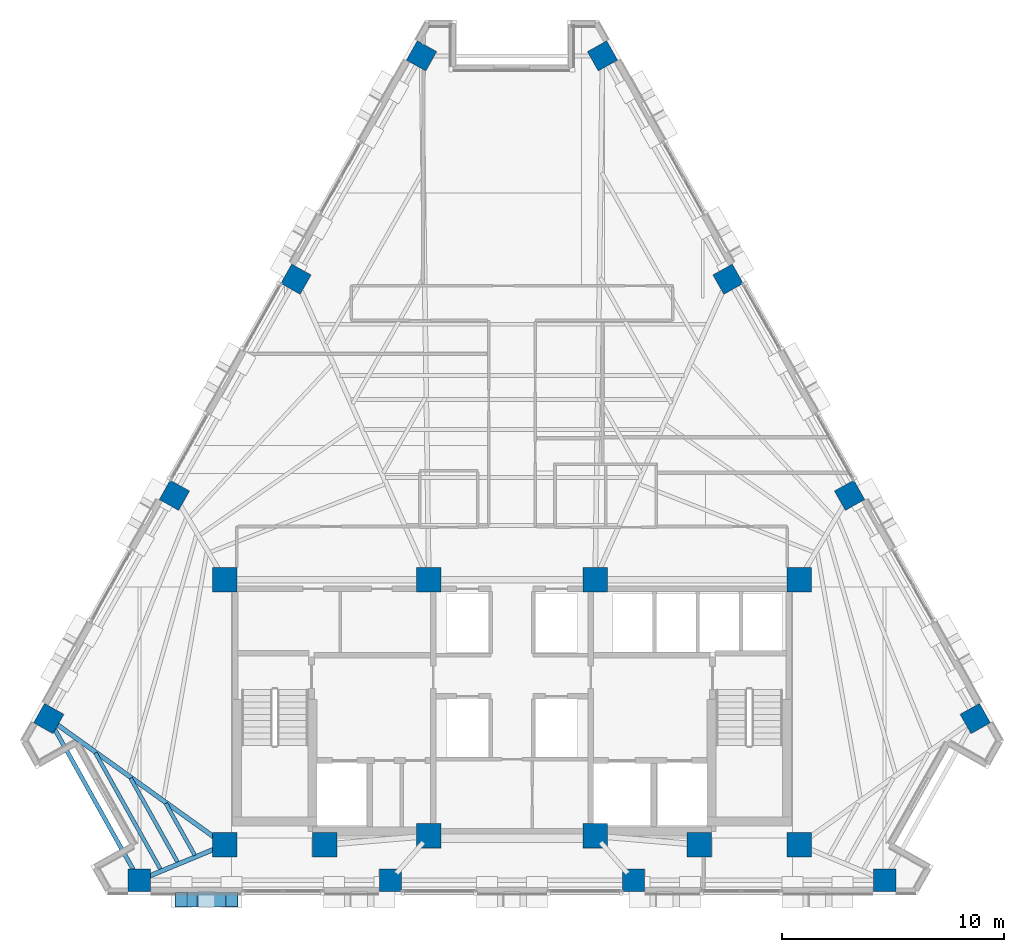
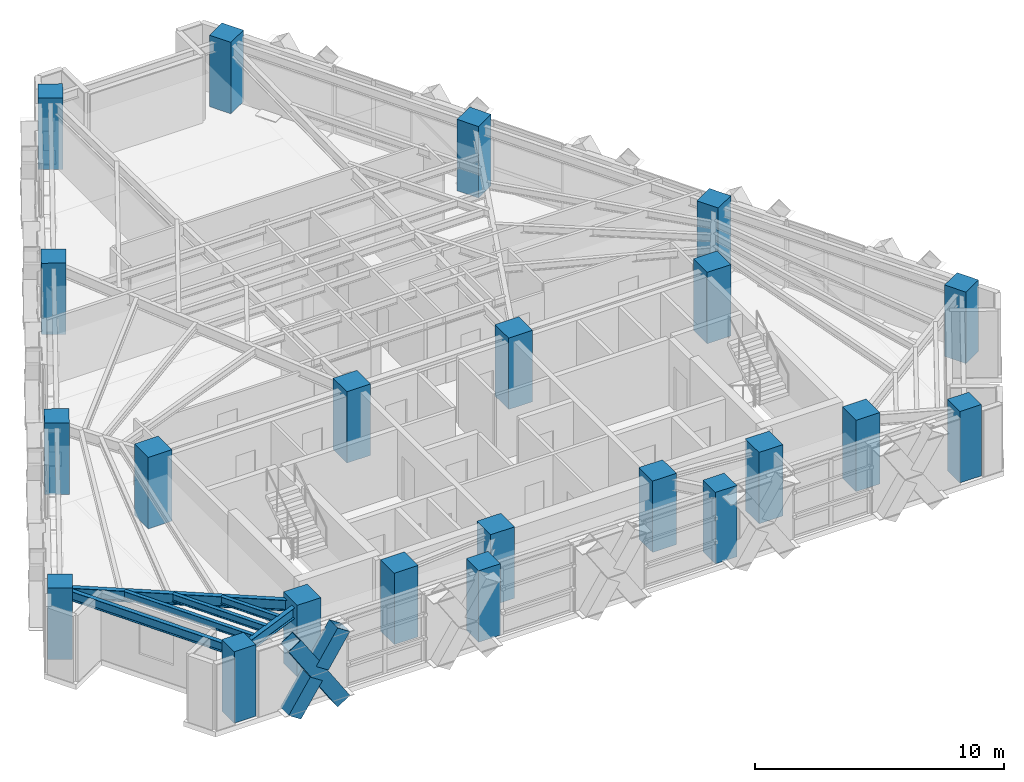
# One storey, part 1 of 14: 22 columns, 6 beams, 3 members.
"""IFC4 building model written with IfcOpenShell, lengths in metres."""

from ifc_helpers import new_model, si_unit, direction, frame, origin, origin_2d, place, context, subcontext, project, spatial, rectangle, hollow_rectangle, i_section, extrude, material, material_profile, profile_set, type_object, element, save


model = new_model("IFC4")

# Units and contexts
model_context = context("Model", 3, precision=1e-05, world=origin(), true_north=direction((0.0, 1.0)))
body_context = subcontext(model_context, "Body", "Model", "MODEL_VIEW")
ifc_project = project(units=[si_unit("LENGTHUNIT", "METRE"), si_unit("AREAUNIT", "SQUARE_METRE"), si_unit("VOLUMEUNIT", "CUBIC_METRE"), si_unit("PLANEANGLEUNIT", "RADIAN"), si_unit("MASSUNIT", "GRAM", prefix="KILO")], contexts=[model_context])

# Site, building, storey
site_placement = place(None, origin())
site = spatial("IfcSite", under=ifc_project, at=site_placement, CompositionType="ELEMENT")
building_placement = place(site_placement, origin())
building = spatial("IfcBuilding", under=site, at=building_placement, Name="Quenlor Broadcast Tower", CompositionType="ELEMENT")
storey_placement = place(building_placement, frame((0.0, 0.0, 165.0)))
storey = spatial("IfcBuildingStorey", under=building, at=storey_placement, Name="L45", CompositionType="ELEMENT", Elevation=165.0)

# Columns
ifc_material_1 = material(Name="Concrete C65/80", Category="concrete")
ifc_material_profile_1 = material_profile(ifc_material_1, rectangle(XDim=1.10009765625, YDim=1.10009765625, at=origin_2d()))
ifc_profile_set_1 = profile_set([ifc_material_profile_1], Name="Concrete C65/80 RC1100x1100")
column_type_1 = type_object("IfcColumnType", Name="Core Corner Column Mid Concrete C65/80 1100", PredefinedType="COLUMN", material=ifc_profile_set_1)
for number, where, z_axis, x_axis, name in (
    (1, (-12.949951171875, -16.75, 0.0), (0.0, 0.0, 1.0), (1.0, 0.0, 0.0), "L45 Core Column CC1"),
    (2, (-8.449951171875, -16.75, 0.0), (0.0, 0.0, 1.0), (1.0, 0.0, 0.0), "L45 Core Column CC2"),
    (3, (-3.75, -16.35009765625, 0.0), (0.0, 0.0, 1.0), (1.0, 0.0, 0.0), "L45 Core Column CC3"),
    (4, (3.75, -16.35009765625, 0.0), (0.0, 0.0, 1.0), (1.0, 0.0, 0.0), "L45 Core Column CC4"),
    (5, (8.449951171875, -16.75, 0.0), (0.0, 0.0, 1.0), (1.0, 0.0, 0.0), "L45 Core Column CC5"),
    (6, (12.949951171875, -16.75, 0.0), (0.0, 0.0, 1.0), (1.0, 0.0, 0.0), "L45 Core Column CC6"),
    (7, (-12.949951171875, -4.800048828125, 0.0), (0.0, 0.0, 1.0), (1.0, 0.0, 0.0), "L45 Core Column CC7"),
    (8, (-3.75, -4.800048828125, 0.0), (0.0, 0.0, 1.0), (1.0, 0.0, 0.0), "L45 Core Column CC8"),
    (9, (3.75, -4.800048828125, 0.0), (0.0, 0.0, 1.0), (1.0, 0.0, 0.0), "L45 Core Column CC9"),
    (10, (12.949951171875, -4.800048828125, 0.0), (0.0, 0.0, 1.0), (1.0, 0.0, 0.0), "L45 Core Column CC10"),
):
    element("IfcColumn", number, at=place(storey_placement, frame(where, z_axis=z_axis, x_axis=x_axis)), inside=storey, type_object=column_type_1, Name=name, PredefinedType="COLUMN", context=body_context, shape_type="SweptSolid", body=[
        extrude(rectangle(XDim=1.10009765625, YDim=1.10009765625, at=origin_2d()), origin(), (0.0, 0.0, 1.0), 3.5),
    ])
ifc_material_2 = material(Name="Concrete C50/60", Category="concrete")
ifc_material_profile_2 = material_profile(ifc_material_2, rectangle(XDim=1.0, YDim=1.0, at=origin_2d()))
ifc_profile_set_2 = profile_set([ifc_material_profile_2], Name="Concrete C50/60 RC1000x1000")
column_type_2 = type_object("IfcColumnType", Name="Tower Perimeter Column Z3 Concrete C50/60 1000", PredefinedType="COLUMN", material=ifc_profile_set_2)
for number, where, z_axis, x_axis, name in (
    (11, (-16.808349609375, -18.35009765625, 0.0), (0.0, 0.0, 1.0), (0.0, 1.0, 0.0), "L45 Perimeter Column S1"),
    (12, (-5.48095703125, -18.35009765625, 0.0), (0.0, 0.0, 1.0), (0.0, 1.0, 0.0), "L45 Perimeter Column S2"),
    (13, (5.48095703125, -18.35009765625, 0.0), (0.0, 0.0, 1.0), (0.0, 1.0, 0.0), "L45 Perimeter Column S3"),
    (14, (16.808349609375, -18.35009765625, 0.0), (0.0, 0.0, 1.0), (0.0, 1.0, 0.0), "L45 Perimeter Column S4"),
    (15, (20.8876953125, -11.0595703125, 0.0), (0.0, 0.0, 1.0), (0.871575139605, 0.490261946333, 0.0), "L45 Perimeter Column NE1"),
    (16, (15.22412109375, -0.99072265625, 0.0), (0.0, 0.0, 1.0), (0.871575139605, 0.490261946333, 0.0), "L45 Perimeter Column NE2"),
    (17, (9.742919921875, 8.75341796875, 0.0), (0.0, 0.0, 1.0), (0.871575139605, 0.490261946333, 0.0), "L45 Perimeter Column NE3"),
    (18, (4.079345703125, 18.822021484375, 0.0), (0.0, 0.0, 1.0), (0.871575139605, 0.490261946333, 0.0), "L45 Perimeter Column NE4"),
    (19, (-4.079345703125, 18.822021484375, 0.0), (0.0, 0.0, 1.0), (-0.871575139605, 0.490261946333, 0.0), "L45 Perimeter Column NW1"),
    (20, (-9.742919921875, 8.75341796875, 0.0), (0.0, 0.0, 1.0), (-0.871575139605, 0.490261946333, 0.0), "L45 Perimeter Column NW2"),
    (21, (-15.22412109375, -0.99072265625, 0.0), (0.0, 0.0, 1.0), (-0.871575139605, 0.490261946333, 0.0), "L45 Perimeter Column NW3"),
    (22, (-20.8876953125, -11.0595703125, 0.0), (0.0, 0.0, 1.0), (-0.871575139605, 0.490261946333, 0.0), "L45 Perimeter Column NW4"),
):
    element("IfcColumn", number, at=place(storey_placement, frame(where, z_axis=z_axis, x_axis=x_axis)), inside=storey, type_object=column_type_2, Name=name, PredefinedType="COLUMN", context=body_context, shape_type="SweptSolid", body=[
        extrude(rectangle(XDim=1.0, YDim=1.0, at=origin_2d()), origin(), (0.0, 0.0, 1.0), 3.5),
    ])

# Members
ifc_material_3 = material(Name="Steel S355", Category="steel")
ifc_material_profile_3 = material_profile(ifc_material_3, hollow_rectangle(XDim=0.679931640625, YDim=0.679931640625, WallThickness=0.02490234375, at=origin_2d()))
ifc_profile_set_3 = profile_set([ifc_material_profile_3], Name="Steel S355 RHS680x680x25")
member_type = type_object("IfcMemberType", Name="Perimeter Diagonal Lattice Brace Z3-Z4 Steel S355 RHS680x25", PredefinedType="BRACE", material=ifc_profile_set_3)
member_1_placement = place(storey_placement, frame((-12.641845703125, -19.219970703125, -0.1201171875), z_axis=(-0.543860340502, 0.0, 0.839175744424), x_axis=(0.0, -1.0, 0.0)))
element("IfcMember", 23, at=member_1_placement, inside=storey, type_object=member_type, Name="L45 Perimeter Diamond Lattice S-C5XA", PredefinedType="BRACE", context=body_context, shape_type="SweptSolid", body=[
    extrude(hollow_rectangle(XDim=0.679931640625, YDim=0.679931640625, WallThickness=0.02490234375, at=origin_2d()), origin(), (0.0, 0.0, 1.0), 4.170654296875),
])
member_2_placement = place(storey_placement, frame((-14.91015625, -19.219970703125, -0.1201171875), z_axis=(0.543786168213, 0.0, 0.839223809994), x_axis=(0.0, 1.0, 0.0)))
element("IfcMember", 24, at=member_2_placement, inside=storey, type_object=member_type, Name="L45 Perimeter Diamond Lattice S-C5XB1", PredefinedType="BRACE", context=body_context, shape_type="SweptSolid", body=[
    extrude(hollow_rectangle(XDim=0.679931640625, YDim=0.679931640625, WallThickness=0.02490234375, at=origin_2d()), origin(), (0.0, 0.0, 1.0), 1.83544921875),
])
member_3_placement = place(storey_placement, frame((-13.639892578125, -19.219970703125, 1.83984375), z_axis=(0.543846878394, 0.0, 0.839184468911), x_axis=(0.0, 1.0, 0.0)))
element("IfcMember", 25, at=member_3_placement, inside=storey, type_object=member_type, Name="L45 Perimeter Diamond Lattice S-C5XB2", PredefinedType="BRACE", context=body_context, shape_type="SweptSolid", body=[
    extrude(hollow_rectangle(XDim=0.679931640625, YDim=0.679931640625, WallThickness=0.02490234375, at=origin_2d()), origin(), (0.0, 0.0, 1.0), 1.835205078125),
])

# Beams
ifc_material_4 = material(Name="Steel S355", Category="steel")
ifc_material_profile_4 = material_profile(ifc_material_4, i_section(OverallWidth=0.19091796875, OverallDepth=0.46044921875, WebThickness=0.010009765625, FlangeThickness=0.01611328125, FilletRadius=0.011474609375, at=origin_2d()))
ifc_profile_set_4 = profile_set([ifc_material_profile_4], Name="Steel S355 460UB82.1")
beam_type_1 = type_object("IfcBeamType", Name="Perimeter Spandrel Beam Z3 Steel S355 460UB82.1", PredefinedType="SPANDREL", material=ifc_profile_set_4)
beam_1_placement = place(storey_placement, frame((-20.6875, -11.417236328125, 3.019775390625), z_axis=(0.488298439934, -0.872676706208, 0.0), x_axis=(0.872676706208, 0.488298439934, 0.0)))
element("IfcBeam", 26, at=beam_1_placement, inside=storey, type_object=beam_type_1, Name="L45 Spandrel Beam NW4-S1", PredefinedType="SPANDREL", context=body_context, shape_type="SweptSolid", body=[
    extrude(i_section(OverallWidth=0.19091796875, OverallDepth=0.46044921875, WebThickness=0.010009765625, FlangeThickness=0.01611328125, FilletRadius=0.011474609375, at=origin_2d()), origin(), (0.0, 0.0, 1.0), 7.5341796875),
])
ifc_material_5 = material(Name="Steel S355", Category="steel")
ifc_material_profile_5 = material_profile(ifc_material_5, i_section(OverallWidth=0.172119140625, OverallDepth=0.358642578125, WebThickness=0.008056640625, FlangeThickness=0.012939453125, FilletRadius=0.011474609375, at=origin_2d()))
ifc_profile_set_5 = profile_set([ifc_material_profile_5], Name="Steel S355 360UB56.7")
beam_type_2 = type_object("IfcBeamType", Name="Tower Composite Joist Z2-Z3 Steel S355 360UB56.7", PredefinedType="JOIST", material=ifc_profile_set_5)
beam_2_placement = place(storey_placement, frame((-14.30078125, -17.22412109375, 3.07080078125), z_axis=(-0.488370382241, 0.87263644764, 0.0), x_axis=(-0.87263644764, -0.488370382241, 0.0)))
element("IfcBeam", 27, at=beam_2_placement, inside=storey, type_object=beam_type_2, Name="L45 Secondary Composite Joist 19", PredefinedType="JOIST", context=body_context, shape_type="SweptSolid", body=[
    extrude(i_section(OverallWidth=0.172119140625, OverallDepth=0.358642578125, WebThickness=0.008056640625, FlangeThickness=0.012939453125, FilletRadius=0.011474609375, at=origin_2d()), origin(), (0.0, 0.0, 1.0), 2.680419921875),
])
beam_3_placement = place(storey_placement, frame((-15.072509765625, -17.544189453125, 3.07080078125), z_axis=(-0.488294103756, 0.872679132463, 0.0), x_axis=(-0.872679132463, -0.488294103756, 0.0)))
element("IfcBeam", 28, at=beam_3_placement, inside=storey, type_object=beam_type_2, Name="L45 Secondary Composite Joist 20", PredefinedType="JOIST", context=body_context, shape_type="SweptSolid", body=[
    extrude(i_section(OverallWidth=0.172119140625, OverallDepth=0.358642578125, WebThickness=0.008056640625, FlangeThickness=0.012939453125, FilletRadius=0.011474609375, at=origin_2d()), origin(), (0.0, 0.0, 1.0), 4.351318359375),
])
beam_4_placement = place(storey_placement, frame((-15.84423828125, -17.8642578125, 3.07080078125), z_axis=(-0.488308300212, 0.872671188905, 0.0), x_axis=(-0.872671188905, -0.488308300212, 0.0)))
element("IfcBeam", 29, at=beam_4_placement, inside=storey, type_object=beam_type_2, Name="L45 Secondary Composite Joist 21", PredefinedType="JOIST", context=body_context, shape_type="SweptSolid", body=[
    extrude(i_section(OverallWidth=0.172119140625, OverallDepth=0.358642578125, WebThickness=0.008056640625, FlangeThickness=0.012939453125, FilletRadius=0.011474609375, at=origin_2d()), origin(), (0.0, 0.0, 1.0), 6.022216796875),
])
ifc_material_6 = material(Name="Steel S355", Category="steel")
ifc_material_profile_6 = material_profile(ifc_material_6, i_section(OverallWidth=0.208984375, OverallDepth=0.532958984375, WebThickness=0.01025390625, FlangeThickness=0.015625, FilletRadius=0.013916015625, at=origin_2d()))
ifc_profile_set_6 = profile_set([ifc_material_profile_6], Name="Steel S355 530UB92.4")
beam_type_3 = type_object("IfcBeamType", Name="Tower Primary Floor Beam Z3 Steel S355 530UB92.4", PredefinedType="BEAM", material=ifc_profile_set_6)
beam_5_placement = place(storey_placement, frame((-16.4296875, -18.19287109375, 2.9833984375), z_axis=(0.923730294618, 0.383043525993, 0.0), x_axis=(-0.383043525993, 0.923730294618, 0.0)))
element("IfcBeam", 30, at=beam_5_placement, inside=storey, type_object=beam_type_3, Name="L45 Primary Radial Beam S1", PredefinedType="BEAM", context=body_context, shape_type="SweptSolid", body=[
    extrude(i_section(OverallWidth=0.208984375, OverallDepth=0.532958984375, WebThickness=0.01025390625, FlangeThickness=0.015625, FilletRadius=0.013916015625, at=origin_2d()), origin(), (0.0, 0.0, 1.0), 3.386962890625),
])
beam_6_placement = place(storey_placement, frame((-20.554443359375, -11.29833984375, 2.9833984375), z_axis=(0.812728908832, -0.582642017666, 0.0), x_axis=(0.582642017666, 0.812728908832, 0.0)))
element("IfcBeam", 31, at=beam_6_placement, inside=storey, type_object=beam_type_3, Name="L45 Primary Radial Beam NW4", PredefinedType="BEAM", context=body_context, shape_type="SweptSolid", body=[
    extrude(i_section(OverallWidth=0.208984375, OverallDepth=0.532958984375, WebThickness=0.01025390625, FlangeThickness=0.015625, FilletRadius=0.013916015625, at=origin_2d()), origin(), (0.0, 0.0, 1.0), 8.976806640625),
])

save(model, "model.ifc")
